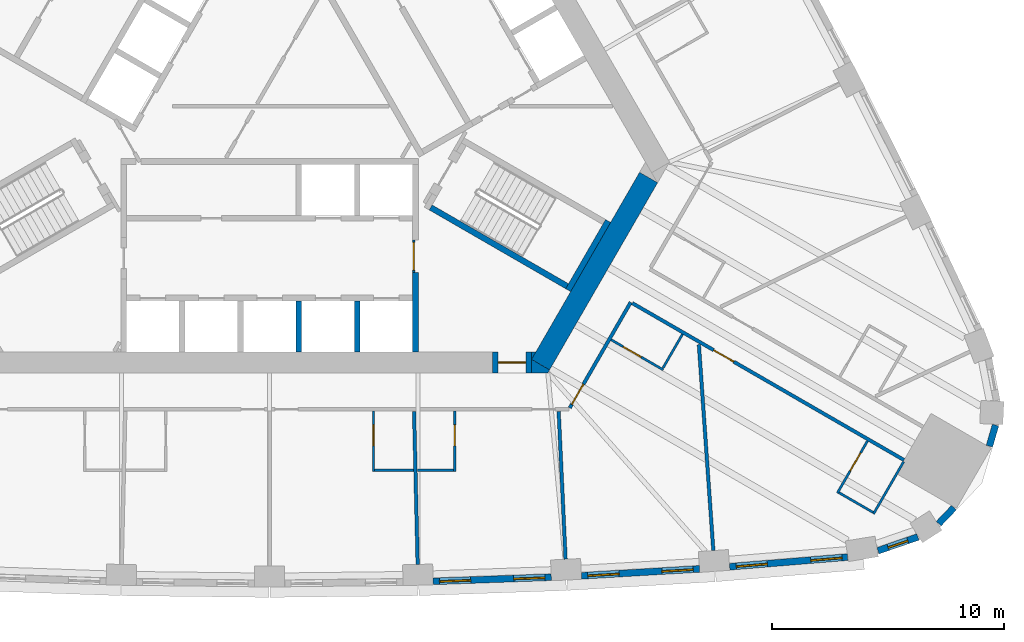
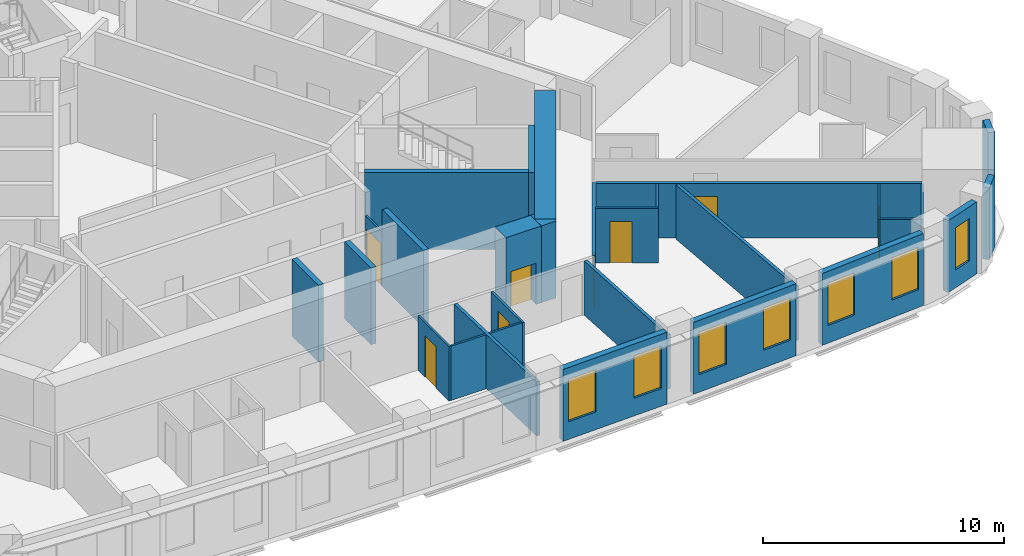
# One storey, part 7 of 13: 30 walls, 8 doors, 7 windows, 15 openings.
"""IFC4 building model written with IfcOpenShell, lengths in metres."""

from ifc_helpers import new_model, si_unit, direction, frame, frame_2d, origin, place, context, subcontext, project, spatial, polyline, rectangle, outline, extrude, material, layer, layer_set, type_object, element, fill, save


model = new_model("IFC4")

# Units and contexts
model_context = context("Model", 3, precision=1e-05, world=origin(), true_north=direction((0.0, 1.0)))
body_context = subcontext(model_context, "Body", "Model", "MODEL_VIEW")
ifc_project = project(units=[si_unit("LENGTHUNIT", "METRE"), si_unit("AREAUNIT", "SQUARE_METRE"), si_unit("VOLUMEUNIT", "CUBIC_METRE"), si_unit("PLANEANGLEUNIT", "RADIAN"), si_unit("MASSUNIT", "GRAM", prefix="KILO")], contexts=[model_context])

# Site, building, storey
site_placement = place(None, origin())
site = spatial("IfcSite", under=ifc_project, at=site_placement, CompositionType="ELEMENT")
building_placement = place(site_placement, origin())
building = spatial("IfcBuilding", under=site, at=building_placement, Name="Mestral Congress Tower", CompositionType="ELEMENT")
storey_placement = place(building_placement, frame((0.0, 0.0, 99.300048828125)))
storey = spatial("IfcBuildingStorey", under=building, at=storey_placement, Name="L23", CompositionType="ELEMENT", Elevation=99.300048828125)

# Wall, opening, door
ifc_material_1 = material(Name="Fire-rated board partition")
ifc_layer_1 = layer(ifc_material_1, 0.090087890625)
ifc_layer_set_1 = layer_set([ifc_layer_1], Name="Fire-rated board partition")
wall_type_1 = type_object("IfcWallType", Name="Core partition 150 door-wall 90", PredefinedType="PARTITIONING", material=ifc_layer_set_1)
wall_1_placement = place(storey_placement, frame((6.219970703125, -7.266357421875, 0.0), z_axis=(0.0, 0.0, 1.0), x_axis=(0.0, -1.0, 0.0)))
wall_1 = element("IfcWall", 1, at=wall_1_placement, inside=storey, type_object=wall_type_1, Name="L23 door wall", PredefinedType="PARTITIONING", context=body_context, shape_type="SweptSolid", body=[
    extrude(rectangle(XDim=1.400146484375, YDim=0.090087890625, at=frame_2d((0.7001953125, 0.0))), origin(), (0.0, 0.0, 1.0), 2.75),
])
opening_1_placement = place(wall_1_placement, frame((0.10009765625, 0.0, 0.0)))
opening_1 = element("IfcOpeningElement", 2, at=opening_1_placement, cuts=wall_1, Name="Opening LB0-WL1", PredefinedType="OPENING", context=body_context, shape_type="SweptSolid", body=[
    extrude(rectangle(XDim=1.199951171875, YDim=2.10009765625, at=frame_2d((0.60009765625, 1.050048828125))), frame((0.0, 0.054931640625, 0.0), z_axis=(0.0, -1.0, 0.0), x_axis=(1.0, 0.0, 0.0)), (0.0, 0.0, 1.0), 0.110107421875),
])
ifc_material_2 = material(Name="Fire-rated steel door set", Category="steel")
door_type_1 = type_object("IfcDoorType", Name="Core door LB 1200x2100", OperationType="SINGLE_SWING_LEFT", PredefinedType="DOOR", material=ifc_material_2)
door_1_placement = place(opening_1_placement, origin())
door_1 = element("IfcDoor", 3, at=door_1_placement, inside=storey, type_object=door_type_1, Name="Door LB0-WL1", OperationType="SINGLE_SWING_LEFT", OverallHeight=2.10009765625, OverallWidth=1.199951171875, PredefinedType="DOOR", context=body_context, shape_type="SweptSolid", body=[
    extrude(rectangle(XDim=1.199951171875, YDim=2.10009765625, at=frame_2d((0.60009765625, 1.050048828125))), frame((0.0, 0.02490234375, 0.0), z_axis=(0.0, -1.0, 0.0), x_axis=(1.0, 0.0, 0.0)), (0.0, 0.0, 1.0), 0.050048828125),
])
fill(opening_1, door_1)

# Walls
ifc_material_3 = material(Name="Concrete C60/75", Category="concrete")
ifc_layer_2 = layer(ifc_material_3, 0.89990234375)
ifc_layer_set_2 = layer_set([ifc_layer_2], Name="Concrete C60/75")
wall_type_2 = type_object("IfcWallType", Name="Core wall RC 900", PredefinedType="SOLIDWALL", material=ifc_layer_set_2)
wall_2_placement = place(storey_placement, frame((11.69482421875, -12.643798828125, 0.0), z_axis=(0.0, 0.0, 1.0), x_axis=(0.500010229568, 0.86601949766, 0.0)))
element("IfcWall", 4, at=wall_2_placement, inside=storey, type_object=wall_type_2, Name="L23 core wall", PredefinedType="SOLIDWALL", context=body_context, shape_type="SweptSolid", body=[
    extrude(rectangle(XDim=9.326416015625, YDim=0.89990234375, at=frame_2d((4.6630859375, 0.0))), origin(), (0.0, 0.0, 1.0), 3.89990234375),
])
placement = place(storey_placement, origin())
element("IfcWall", 5, at=placement, inside=storey, type_object=wall_type_2, Name="L23 core wall", PredefinedType="SOLIDWALL", context=body_context, shape_type="SweptSolid", body=[
    extrude(outline(polyline([(12.0087890625, -13.0), (11.31201171875, -13.0), (11.31201171875, -12.425048828125), (12.08349609375, -12.87060546875), (12.0087890625, -13.0)])), origin(), (0.0, 0.0, 1.0), 3.89990234375),
])
element("IfcWall", 6, at=placement, inside=storey, type_object=wall_type_2, Name="L23 core wall", PredefinedType="SOLIDWALL", context=body_context, shape_type="SweptSolid", body=[
    extrude(outline(polyline([(11.4892578125, -12.10009765625), (11.31201171875, -12.4072265625), (11.31201171875, -12.10009765625), (11.4892578125, -12.10009765625)])), origin(), (0.0, 0.0, 1.0), 3.89990234375),
])

# Wall, opening, door
wall_5_placement = place(storey_placement, frame((11.311767578125, -12.550048828125, 0.0), z_axis=(0.0, 0.0, 1.0), x_axis=(-1.0, 0.0, 0.0)))
wall_5 = element("IfcWall", 7, at=wall_5_placement, inside=storey, type_object=wall_type_2, Name="L23 door wall", PredefinedType="SOLIDWALL", context=body_context, shape_type="SweptSolid", body=[
    extrude(rectangle(XDim=1.699951171875, YDim=0.89990234375, at=frame_2d((0.85009765625, 0.0))), origin(), (0.0, 0.0, 1.0), 3.89990234375),
])
opening_2_placement = place(wall_5_placement, frame((0.25, 0.0, 0.0)))
opening_2 = element("IfcOpeningElement", 8, at=opening_2_placement, cuts=wall_5, Name="Opening XD1", PredefinedType="OPENING", context=body_context, shape_type="SweptSolid", body=[
    extrude(rectangle(XDim=1.199951171875, YDim=2.10009765625, at=frame_2d((0.60009765625, 1.050048828125))), frame((0.0, 0.4599609375, 0.0), z_axis=(0.0, -1.0, 0.0), x_axis=(1.0, 0.0, 0.0)), (0.0, 0.0, 1.0), 0.919921875),
])
door_type_2 = type_object("IfcDoorType", Name="Core door XD 1200x2100", OperationType="SINGLE_SWING_LEFT", PredefinedType="DOOR", material=ifc_material_2)
door_2_placement = place(opening_2_placement, origin())
door_2 = element("IfcDoor", 9, at=door_2_placement, inside=storey, type_object=door_type_2, Name="Door XD1", OperationType="SINGLE_SWING_LEFT", OverallHeight=2.10009765625, OverallWidth=1.199951171875, PredefinedType="DOOR", context=body_context, shape_type="SweptSolid", body=[
    extrude(rectangle(XDim=1.199951171875, YDim=2.10009765625, at=frame_2d((0.60009765625, 1.050048828125))), frame((0.0, 0.02490234375, 0.0), z_axis=(0.0, -1.0, 0.0), x_axis=(1.0, 0.0, 0.0)), (0.0, 0.0, 1.0), 0.050048828125),
])
fill(opening_2, door_2)

# Wall, openings, windows
ifc_material_4 = material(Name="Precast concrete C40/50 with limestone facing", Category="masonry")
ifc_layer_3 = layer(ifc_material_4, 0.2900390625)
ifc_layer_set_3 = layer_set([ifc_layer_3], Name="Precast concrete C40/50 with limestone facing")
wall_type_3 = type_object("IfcWallType", Name="Facade stone wall 290", PredefinedType="SOLIDWALL", material=ifc_layer_set_3)
wall_6_placement = place(storey_placement, frame((7.059326171875, -22.000732421875, 0.0), z_axis=(0.0, 0.0, 1.0), x_axis=(0.999385993957, 0.035037623812, 0.0)))
wall_6 = element("IfcWall", 10, at=wall_6_placement, inside=storey, type_object=wall_type_3, Name="Facade wall F0-05", PredefinedType="SOLIDWALL", context=body_context, shape_type="SweptSolid", body=[
    extrude(rectangle(XDim=5.1005859375, YDim=0.2900390625, at=frame_2d((2.55029296875, 0.0))), origin(), (0.0, 0.0, 1.0), 3.64990234375),
])
opening_3_placement = place(wall_6_placement, frame((0.272705078125, 0.0, 0.89990234375)))
opening_3 = element("IfcOpeningElement", 11, at=opening_3_placement, cuts=wall_6, Name="Opening W2", PredefinedType="OPENING", context=body_context, shape_type="SweptSolid", body=[
    extrude(rectangle(XDim=1.35009765625, YDim=2.14990234375, at=frame_2d((0.675048828125, 1.074951171875))), frame((0.0, 0.155029296875, 0.0), z_axis=(0.0, -1.0, 0.0), x_axis=(1.0, 0.0, 0.0)), (0.0, 0.0, 1.0), 0.31005859375),
])
opening_4_placement = place(wall_6_placement, frame((3.477783203125, 0.0, 0.89990234375)))
opening_4 = element("IfcOpeningElement", 12, at=opening_4_placement, cuts=wall_6, Name="Opening W2", PredefinedType="OPENING", context=body_context, shape_type="SweptSolid", body=[
    extrude(rectangle(XDim=1.35009765625, YDim=2.14990234375, at=frame_2d((0.675048828125, 1.074951171875))), frame((0.0, 0.155029296875, 0.0), z_axis=(0.0, -1.0, 0.0), x_axis=(1.0, 0.0, 0.0)), (0.0, 0.0, 1.0), 0.31005859375),
])
ifc_material_5 = material(Name="Clear low-emissivity double glazing", Category="glass")
window_type_1 = type_object("IfcWindowType", Name="Facade punched window 1350 x 2150 sill 900", PartitioningType="DOUBLE_PANEL_VERTICAL", PredefinedType="WINDOW", material=ifc_material_5)
window_1_placement = place(opening_3_placement, origin())
window_1 = element("IfcWindow", 13, at=window_1_placement, inside=storey, type_object=window_type_1, Name="Window F0-05a", OverallHeight=2.14990234375, OverallWidth=1.35009765625, PartitioningType="DOUBLE_PANEL_VERTICAL", PredefinedType="WINDOW", context=body_context, shape_type="SweptSolid", body=[
    extrude(rectangle(XDim=1.35009765625, YDim=2.14990234375, at=frame_2d((0.675048828125, 1.074951171875))), frame((0.0, 0.01513671875, 0.0), z_axis=(0.0, -1.0, 0.0), x_axis=(1.0, 0.0, 0.0)), (0.0, 0.0, 1.0), 0.06005859375),
])
fill(opening_3, window_1)
window_2_placement = place(opening_4_placement, origin())
window_2 = element("IfcWindow", 14, at=window_2_placement, inside=storey, type_object=window_type_1, Name="Window F0-05b", OverallHeight=2.14990234375, OverallWidth=1.35009765625, PartitioningType="DOUBLE_PANEL_VERTICAL", PredefinedType="WINDOW", context=body_context, shape_type="SweptSolid", body=[
    extrude(rectangle(XDim=1.35009765625, YDim=2.14990234375, at=frame_2d((0.675048828125, 1.074951171875))), frame((0.0, 0.01513671875, 0.0), z_axis=(0.0, -1.0, 0.0), x_axis=(1.0, 0.0, 0.0)), (0.0, 0.0, 1.0), 0.06005859375),
])
fill(opening_4, window_2)

wall_7_placement = place(storey_placement, frame((13.4619140625, -21.760986328125, 0.0), z_axis=(0.0, 0.0, 1.0), x_axis=(0.998290511436, 0.058447025388, 0.0)))
wall_7 = element("IfcWall", 15, at=wall_7_placement, inside=storey, type_object=wall_type_3, Name="Facade wall F0-06", PredefinedType="SOLIDWALL", context=body_context, shape_type="SweptSolid", body=[
    extrude(rectangle(XDim=5.100341796875, YDim=0.2900390625, at=frame_2d((2.55029296875, 0.0))), origin(), (0.0, 0.0, 1.0), 3.64990234375),
])
opening_5_placement = place(wall_7_placement, frame((0.2724609375, 0.0, 0.89990234375)))
opening_5 = element("IfcOpeningElement", 16, at=opening_5_placement, cuts=wall_7, Name="Opening W2", PredefinedType="OPENING", context=body_context, shape_type="SweptSolid", body=[
    extrude(rectangle(XDim=1.35009765625, YDim=2.14990234375, at=frame_2d((0.675048828125, 1.074951171875))), frame((0.0, 0.155029296875, 0.0), z_axis=(0.0, -1.0, 0.0), x_axis=(1.0, 0.0, 0.0)), (0.0, 0.0, 1.0), 0.31005859375),
])
opening_6_placement = place(wall_7_placement, frame((3.477783203125, 0.0, 0.89990234375)))
opening_6 = element("IfcOpeningElement", 17, at=opening_6_placement, cuts=wall_7, Name="Opening W2", PredefinedType="OPENING", context=body_context, shape_type="SweptSolid", body=[
    extrude(rectangle(XDim=1.35009765625, YDim=2.14990234375, at=frame_2d((0.675048828125, 1.074951171875))), frame((0.0, 0.155029296875, 0.0), z_axis=(0.0, -1.0, 0.0), x_axis=(1.0, 0.0, 0.0)), (0.0, 0.0, 1.0), 0.31005859375),
])
window_3_placement = place(opening_5_placement, origin())
window_3 = element("IfcWindow", 18, at=window_3_placement, inside=storey, type_object=window_type_1, Name="Window F0-06a", OverallHeight=2.14990234375, OverallWidth=1.35009765625, PartitioningType="DOUBLE_PANEL_VERTICAL", PredefinedType="WINDOW", context=body_context, shape_type="SweptSolid", body=[
    extrude(rectangle(XDim=1.35009765625, YDim=2.14990234375, at=frame_2d((0.675048828125, 1.074951171875))), frame((0.0, 0.01513671875, 0.0), z_axis=(0.0, -1.0, 0.0), x_axis=(1.0, 0.0, 0.0)), (0.0, 0.0, 1.0), 0.06005859375),
])
fill(opening_5, window_3)
window_4_placement = place(opening_6_placement, origin())
window_4 = element("IfcWindow", 19, at=window_4_placement, inside=storey, type_object=window_type_1, Name="Window F0-06b", OverallHeight=2.14990234375, OverallWidth=1.35009765625, PartitioningType="DOUBLE_PANEL_VERTICAL", PredefinedType="WINDOW", context=body_context, shape_type="SweptSolid", body=[
    extrude(rectangle(XDim=1.35009765625, YDim=2.14990234375, at=frame_2d((0.675048828125, 1.074951171875))), frame((0.0, 0.01513671875, 0.0), z_axis=(0.0, -1.0, 0.0), x_axis=(1.0, 0.0, 0.0)), (0.0, 0.0, 1.0), 0.06005859375),
])
fill(opening_6, window_4)

wall_8_placement = place(storey_placement, frame((19.856689453125, -21.37109375, 0.0), z_axis=(0.0, 0.0, 1.0), x_axis=(0.99665273362, 0.081751627308, 0.0)))
wall_8 = element("IfcWall", 20, at=wall_8_placement, inside=storey, type_object=wall_type_3, Name="Facade wall F0-07", PredefinedType="SOLIDWALL", context=body_context, shape_type="SweptSolid", body=[
    extrude(rectangle(XDim=5.106689453125, YDim=0.2900390625, at=frame_2d((2.55322265625, 0.0))), origin(), (0.0, 0.0, 1.0), 3.64990234375),
])
opening_7_placement = place(wall_8_placement, frame((0.285400390625, 0.0, 0.89990234375)))
opening_7 = element("IfcOpeningElement", 21, at=opening_7_placement, cuts=wall_8, Name="Opening W2", PredefinedType="OPENING", context=body_context, shape_type="SweptSolid", body=[
    extrude(rectangle(XDim=1.35009765625, YDim=2.14990234375, at=frame_2d((0.675048828125, 1.074951171875))), frame((0.0, 0.155029296875, 0.0), z_axis=(0.0, -1.0, 0.0), x_axis=(1.0, 0.0, 0.0)), (0.0, 0.0, 1.0), 0.31005859375),
])
opening_8_placement = place(wall_8_placement, frame((3.51611328125, 0.0, 0.89990234375)))
opening_8 = element("IfcOpeningElement", 22, at=opening_8_placement, cuts=wall_8, Name="Opening W2", PredefinedType="OPENING", context=body_context, shape_type="SweptSolid", body=[
    extrude(rectangle(XDim=1.35009765625, YDim=2.14990234375, at=frame_2d((0.675048828125, 1.074951171875))), frame((0.0, 0.155029296875, 0.0), z_axis=(0.0, -1.0, 0.0), x_axis=(1.0, 0.0, 0.0)), (0.0, 0.0, 1.0), 0.31005859375),
])
window_5_placement = place(opening_7_placement, origin())
window_5 = element("IfcWindow", 23, at=window_5_placement, inside=storey, type_object=window_type_1, Name="Window F0-07a", OverallHeight=2.14990234375, OverallWidth=1.35009765625, PartitioningType="DOUBLE_PANEL_VERTICAL", PredefinedType="WINDOW", context=body_context, shape_type="SweptSolid", body=[
    extrude(rectangle(XDim=1.35009765625, YDim=2.14990234375, at=frame_2d((0.675048828125, 1.074951171875))), frame((0.0, 0.01513671875, 0.0), z_axis=(0.0, -1.0, 0.0), x_axis=(1.0, 0.0, 0.0)), (0.0, 0.0, 1.0), 0.06005859375),
])
fill(opening_7, window_5)
window_6_placement = place(opening_8_placement, origin())
window_6 = element("IfcWindow", 24, at=window_6_placement, inside=storey, type_object=window_type_1, Name="Window F0-07b", OverallHeight=2.14990234375, OverallWidth=1.35009765625, PartitioningType="DOUBLE_PANEL_VERTICAL", PredefinedType="WINDOW", context=body_context, shape_type="SweptSolid", body=[
    extrude(rectangle(XDim=1.35009765625, YDim=2.14990234375, at=frame_2d((0.675048828125, 1.074951171875))), frame((0.0, 0.01513671875, 0.0), z_axis=(0.0, -1.0, 0.0), x_axis=(1.0, 0.0, 0.0)), (0.0, 0.0, 1.0), 0.06005859375),
])
fill(opening_8, window_6)

# Wall, opening, window
wall_9_placement = place(storey_placement, frame((26.260986328125, -20.67919921875, 0.0), z_axis=(0.0, 0.0, 1.0), x_axis=(0.945385815453, 0.325953462844, 0.0)))
wall_9 = element("IfcWall", 25, at=wall_9_placement, inside=storey, type_object=wall_type_3, Name="Facade wall K0-0", PredefinedType="SOLIDWALL", context=body_context, shape_type="SweptSolid", body=[
    extrude(rectangle(XDim=1.8193359375, YDim=0.2900390625, at=frame_2d((0.90966796875, 0.0))), origin(), (0.0, 0.0, 1.0), 3.64990234375),
])
opening_9_placement = place(wall_9_placement, frame((0.459716796875, 0.0, 0.89990234375)))
opening_9 = element("IfcOpeningElement", 26, at=opening_9_placement, cuts=wall_9, Name="Opening W3", PredefinedType="OPENING", context=body_context, shape_type="SweptSolid", body=[
    extrude(rectangle(XDim=0.89990234375, YDim=2.14990234375, at=frame_2d((0.449951171875, 1.074951171875))), frame((0.0, 0.155029296875, 0.0), z_axis=(0.0, -1.0, 0.0), x_axis=(1.0, 0.0, 0.0)), (0.0, 0.0, 1.0), 0.31005859375),
])
window_type_2 = type_object("IfcWindowType", Name="Facade punched window 900 x 2150 sill 900", PartitioningType="SINGLE_PANEL", PredefinedType="WINDOW", material=ifc_material_5)
window_7_placement = place(opening_9_placement, origin())
window_7 = element("IfcWindow", 27, at=window_7_placement, inside=storey, type_object=window_type_2, Name="Window K0-0", OverallHeight=2.14990234375, OverallWidth=0.89990234375, PartitioningType="SINGLE_PANEL", PredefinedType="WINDOW", context=body_context, shape_type="SweptSolid", body=[
    extrude(rectangle(XDim=0.89990234375, YDim=2.14990234375, at=frame_2d((0.449951171875, 1.074951171875))), frame((0.0, 0.01513671875, 0.0), z_axis=(0.0, -1.0, 0.0), x_axis=(1.0, 0.0, 0.0)), (0.0, 0.0, 1.0), 0.06005859375),
])
fill(opening_9, window_7)

# Walls
wall_10_placement = place(storey_placement, frame((28.88037109375, -19.50927734375, 0.0), z_axis=(0.0, 0.0, 1.0), x_axis=(0.690414427296, 0.723414071319, 0.0)))
element("IfcWall", 28, at=wall_10_placement, inside=storey, type_object=wall_type_3, Name="Facade wall K0-1", PredefinedType="SOLIDWALL", context=body_context, shape_type="SweptSolid", body=[
    extrude(rectangle(XDim=0.947021484375, YDim=0.2900390625, at=frame_2d((0.4736328125, 0.0))), origin(), (0.0, 0.0, 1.0), 3.64990234375),
])
wall_11_placement = place(storey_placement, frame((31.069091796875, -16.165283203125, 0.0), z_axis=(0.0, 0.0, 1.0), x_axis=(0.281454582132, 0.95957455062, 0.0)))
element("IfcWall", 29, at=wall_11_placement, inside=storey, type_object=wall_type_3, Name="Facade wall K0-2", PredefinedType="SOLIDWALL", context=body_context, shape_type="SweptSolid", body=[
    extrude(rectangle(XDim=0.947265625, YDim=0.2900390625, at=frame_2d((0.4736328125, 0.0))), origin(), (0.0, 0.0, 1.0), 3.64990234375),
])

# Wall, opening, door
ifc_material_6 = material(Name="Gypsum board partition on metal studs with mineral wool", Category="composite")
ifc_layer_4 = layer(ifc_material_6, 0.10009765625)
ifc_layer_set_4 = layer_set([ifc_layer_4], Name="Gypsum board partition on metal studs with mineral wool")
wall_type_4 = type_object("IfcWallType", Name="Hotel partition wall 100", PredefinedType="PARTITIONING", material=ifc_layer_set_4)
wall_12_placement = place(storey_placement, frame((4.480224609375, -14.64990234375, 0.0), z_axis=(0.0, 0.0, 1.0), x_axis=(0.0, -1.0, 0.0)))
wall_12 = element("IfcWall", 30, at=wall_12_placement, inside=storey, type_object=wall_type_4, Name="L23-h-pod05a", PredefinedType="PARTITIONING", context=body_context, shape_type="SweptSolid", body=[
    extrude(rectangle(XDim=2.60009765625, YDim=0.10009765625, at=frame_2d((1.300048828125, 0.0))), origin(), (0.0, 0.0, 1.0), 2.75),
])
opening_10_placement = place(wall_12_placement, frame((0.60009765625, 0.0, 0.0)))
opening_10 = element("IfcOpeningElement", 31, at=opening_10_placement, cuts=wall_12, Name="Opening H07-010", PredefinedType="OPENING", context=body_context, shape_type="SweptSolid", body=[
    extrude(rectangle(XDim=0.89990234375, YDim=2.10009765625, at=frame_2d((0.449951171875, 1.050048828125))), frame((0.0, 0.06005859375, 0.0), z_axis=(0.0, -1.0, 0.0), x_axis=(1.0, 0.0, 0.0)), (0.0, 0.0, 1.0), 0.1201171875),
])
ifc_material_7 = material(Name="Timber veneer door leaf in timber frame", Category="wood")
door_type_3 = type_object("IfcDoorType", Name="Bathroom door 900", OperationType="SINGLE_SWING_LEFT", PredefinedType="DOOR", material=ifc_material_7)
door_3_placement = place(opening_10_placement, origin())
door_3 = element("IfcDoor", 32, at=door_3_placement, inside=storey, type_object=door_type_3, Name="L23-h-d010", OperationType="SINGLE_SWING_LEFT", OverallHeight=2.10009765625, OverallWidth=0.89990234375, PredefinedType="DOOR", context=body_context, shape_type="SweptSolid", body=[
    extrude(rectangle(XDim=0.89990234375, YDim=2.10009765625, at=frame_2d((0.449951171875, 1.050048828125))), frame((0.0, 0.02490234375, 0.0), z_axis=(0.0, -1.0, 0.0), x_axis=(1.0, 0.0, 0.0)), (0.0, 0.0, 1.0), 0.050048828125),
])
fill(opening_10, door_3)

# Wall
wall_13_placement = place(storey_placement, frame((4.5302734375, -17.199951171875, 0.0), z_axis=(0.0, 0.0, 1.0), x_axis=(1.0, 0.0, 0.0)))
element("IfcWall", 33, at=wall_13_placement, inside=storey, type_object=wall_type_4, Name="L23-h-pod05b", PredefinedType="PARTITIONING", context=body_context, shape_type="SweptSolid", body=[
    extrude(rectangle(XDim=1.679931640625, YDim=0.10009765625, at=frame_2d((0.83984375, 0.0))), origin(), (0.0, 0.0, 1.0), 2.75),
])

# Wall, opening, door
wall_14_placement = place(storey_placement, frame((7.98779296875, -17.25, 0.0), z_axis=(0.0, 0.0, 1.0), x_axis=(0.0, 1.0, 0.0)))
wall_14 = element("IfcWall", 34, at=wall_14_placement, inside=storey, type_object=wall_type_4, Name="L23-h-pod06a", PredefinedType="PARTITIONING", context=body_context, shape_type="SweptSolid", body=[
    extrude(rectangle(XDim=2.60009765625, YDim=0.10009765625, at=frame_2d((1.300048828125, 0.0))), origin(), (0.0, 0.0, 1.0), 2.75),
])
opening_11_placement = place(wall_14_placement, frame((1.10009765625, 0.0, 0.0)))
opening_11 = element("IfcOpeningElement", 35, at=opening_11_placement, cuts=wall_14, Name="Opening H07-012", PredefinedType="OPENING", context=body_context, shape_type="SweptSolid", body=[
    extrude(rectangle(XDim=0.89990234375, YDim=2.10009765625, at=frame_2d((0.449951171875, 1.050048828125))), frame((0.0, 0.06005859375, 0.0), z_axis=(0.0, -1.0, 0.0), x_axis=(1.0, 0.0, 0.0)), (0.0, 0.0, 1.0), 0.1201171875),
])
door_4_placement = place(opening_11_placement, origin())
door_4 = element("IfcDoor", 36, at=door_4_placement, inside=storey, type_object=door_type_3, Name="L23-h-d012", OperationType="SINGLE_SWING_RIGHT", OverallHeight=2.10009765625, OverallWidth=0.89990234375, PredefinedType="DOOR", context=body_context, shape_type="SweptSolid", body=[
    extrude(rectangle(XDim=0.89990234375, YDim=2.10009765625, at=frame_2d((0.449951171875, 1.050048828125))), frame((0.0, 0.02490234375, 0.0), z_axis=(0.0, -1.0, 0.0), x_axis=(1.0, 0.0, 0.0)), (0.0, 0.0, 1.0), 0.050048828125),
])
fill(opening_11, door_4)

# Wall
wall_15_placement = place(storey_placement, frame((7.937744140625, -17.199951171875, 0.0), z_axis=(0.0, 0.0, 1.0), x_axis=(-1.0, 0.0, 0.0)))
element("IfcWall", 37, at=wall_15_placement, inside=storey, type_object=wall_type_4, Name="L23-h-pod06b", PredefinedType="PARTITIONING", context=body_context, shape_type="SweptSolid", body=[
    extrude(rectangle(XDim=1.56005859375, YDim=0.10009765625, at=frame_2d((0.780029296875, 0.0))), origin(), (0.0, 0.0, 1.0), 2.75),
])

# Wall, opening, door
wall_16_placement = place(storey_placement, frame((14.739501953125, -11.5703125, 0.0), z_axis=(0.0, 0.0, 1.0), x_axis=(0.866021400173, -0.500006934395, 0.0)))
wall_16 = element("IfcWall", 38, at=wall_16_placement, inside=storey, type_object=wall_type_4, Name="L23-h-pod07a", PredefinedType="PARTITIONING", context=body_context, shape_type="SweptSolid", body=[
    extrude(rectangle(XDim=2.60009765625, YDim=0.10009765625, at=frame_2d((1.300048828125, 0.0))), origin(), (0.0, 0.0, 1.0), 2.75),
])
opening_12_placement = place(wall_16_placement, frame((0.60009765625, 0.0, 0.0)))
opening_12 = element("IfcOpeningElement", 39, at=opening_12_placement, cuts=wall_16, Name="Opening H07-014", PredefinedType="OPENING", context=body_context, shape_type="SweptSolid", body=[
    extrude(rectangle(XDim=0.89990234375, YDim=2.10009765625, at=frame_2d((0.449951171875, 1.050048828125))), frame((0.0, 0.06005859375, 0.0), z_axis=(0.0, -1.0, 0.0), x_axis=(1.0, 0.0, 0.0)), (0.0, 0.0, 1.0), 0.1201171875),
])
door_5_placement = place(opening_12_placement, origin())
door_5 = element("IfcDoor", 40, at=door_5_placement, inside=storey, type_object=door_type_3, Name="L23-h-d014", OperationType="SINGLE_SWING_LEFT", OverallHeight=2.10009765625, OverallWidth=0.89990234375, PredefinedType="DOOR", context=body_context, shape_type="SweptSolid", body=[
    extrude(rectangle(XDim=0.89990234375, YDim=2.10009765625, at=frame_2d((0.449951171875, 1.050048828125))), frame((0.0, 0.02490234375, 0.0), z_axis=(0.0, -1.0, 0.0), x_axis=(1.0, 0.0, 0.0)), (0.0, 0.0, 1.0), 0.050048828125),
])
fill(opening_12, door_5)

# Wall
wall_17_placement = place(storey_placement, frame((16.977783203125, -12.793212890625, 0.0), z_axis=(0.0, 0.0, 1.0), x_axis=(0.500147619332, 0.865940158947, 0.0)))
element("IfcWall", 41, at=wall_17_placement, inside=storey, type_object=wall_type_4, Name="L23-h-pod07b", PredefinedType="PARTITIONING", context=body_context, shape_type="SweptSolid", body=[
    extrude(rectangle(XDim=1.68994140625, YDim=0.10009765625, at=frame_2d((0.844970703125, 0.0))), origin(), (0.0, 0.0, 1.0), 2.75),
])

# Wall, opening, door
wall_18_placement = place(storey_placement, frame((25.806640625, -15.938720703125, 0.0), z_axis=(0.0, 0.0, 1.0), x_axis=(-0.500006934395, -0.866021400173, 0.0)))
wall_18 = element("IfcWall", 42, at=wall_18_placement, inside=storey, type_object=wall_type_4, Name="L23-h-pod08a", PredefinedType="PARTITIONING", context=body_context, shape_type="SweptSolid", body=[
    extrude(rectangle(XDim=2.60009765625, YDim=0.10009765625, at=frame_2d((1.300048828125, 0.0))), origin(), (0.0, 0.0, 1.0), 2.75),
])
opening_13_placement = place(wall_18_placement, frame((0.60009765625, 0.0, 0.0)))
opening_13 = element("IfcOpeningElement", 43, at=opening_13_placement, cuts=wall_18, Name="Opening H07-016", PredefinedType="OPENING", context=body_context, shape_type="SweptSolid", body=[
    extrude(rectangle(XDim=0.89990234375, YDim=2.10009765625, at=frame_2d((0.449951171875, 1.050048828125))), frame((0.0, 0.06005859375, 0.0), z_axis=(0.0, -1.0, 0.0), x_axis=(1.0, 0.0, 0.0)), (0.0, 0.0, 1.0), 0.1201171875),
])
door_6_placement = place(opening_13_placement, origin())
door_6 = element("IfcDoor", 44, at=door_6_placement, inside=storey, type_object=door_type_3, Name="L23-h-d016", OperationType="SINGLE_SWING_LEFT", OverallHeight=2.10009765625, OverallWidth=0.89990234375, PredefinedType="DOOR", context=body_context, shape_type="SweptSolid", body=[
    extrude(rectangle(XDim=0.89990234375, YDim=2.10009765625, at=frame_2d((0.449951171875, 1.050048828125))), frame((0.0, 0.02490234375, 0.0), z_axis=(0.0, -1.0, 0.0), x_axis=(1.0, 0.0, 0.0)), (0.0, 0.0, 1.0), 0.050048828125),
])
fill(opening_13, door_6)

# Walls
wall_19_placement = place(storey_placement, frame((24.574951171875, -18.172119140625, 0.0), z_axis=(0.0, 0.0, 1.0), x_axis=(0.865989465428, -0.500062241894, 0.0)))
element("IfcWall", 45, at=wall_19_placement, inside=storey, type_object=wall_type_4, Name="L23-h-pod08b", PredefinedType="PARTITIONING", context=body_context, shape_type="SweptSolid", body=[
    extrude(rectangle(XDim=1.699951171875, YDim=0.10009765625, at=frame_2d((0.85009765625, 0.0))), origin(), (0.0, 0.0, 1.0), 2.75),
])
wall_20_placement = place(storey_placement, frame((27.365478515625, -16.838623046875, 0.0), z_axis=(0.0, 0.0, 1.0), x_axis=(-0.500006934395, -0.866021400173, 0.0)))
element("IfcWall", 46, at=wall_20_placement, inside=storey, type_object=wall_type_4, Name="L23-h-pod08c", PredefinedType="PARTITIONING", context=body_context, shape_type="SweptSolid", body=[
    extrude(rectangle(XDim=2.60009765625, YDim=0.10009765625, at=frame_2d((1.300048828125, 0.0))), origin(), (0.0, 0.0, 1.0), 2.75),
])

# Wall, opening, door
ifc_layer_5 = layer(ifc_material_6, 0.14990234375)
ifc_layer_set_5 = layer_set([ifc_layer_5], Name="Gypsum board partition on metal studs with mineral wool")
wall_type_5 = type_object("IfcWallType", Name="Hotel partition wall 150", PredefinedType="PARTITIONING", material=ifc_layer_set_5)
wall_21_placement = place(storey_placement, frame((15.58740234375, -9.951904296875, 0.0), z_axis=(0.0, 0.0, 1.0), x_axis=(-0.500016618951, -0.866015808616, 0.0)))
wall_21 = element("IfcWall", 47, at=wall_21_placement, inside=storey, type_object=wall_type_5, Name="L23-h-cw14", PredefinedType="PARTITIONING", context=body_context, shape_type="SweptSolid", body=[
    extrude(rectangle(XDim=5.268310546875, YDim=0.14990234375, at=frame_2d((2.63427734375, 0.0))), origin(), (0.0, 0.0, 1.0), 2.75),
])
opening_14_placement = place(wall_21_placement, frame((4.088134765625, 0.0, 0.0)))
opening_14 = element("IfcOpeningElement", 48, at=opening_14_placement, cuts=wall_21, Name="Opening H07-013", PredefinedType="OPENING", context=body_context, shape_type="SweptSolid", body=[
    extrude(rectangle(XDim=1.0, YDim=2.10009765625, at=frame_2d((0.5, 1.050048828125))), frame((0.0, 0.0849609375, 0.0), z_axis=(0.0, -1.0, 0.0), x_axis=(1.0, 0.0, 0.0)), (0.0, 0.0, 1.0), 0.169921875),
])
ifc_material_8 = material(Name="Timber veneer door leaf in metal frame", Category="wood")
door_type_4 = type_object("IfcDoorType", Name="Guest room entrance door 1000", OperationType="SINGLE_SWING_LEFT", PredefinedType="DOOR", material=ifc_material_8)
door_7_placement = place(opening_14_placement, origin())
door_7 = element("IfcDoor", 49, at=door_7_placement, inside=storey, type_object=door_type_4, Name="L23-h-d013", OperationType="SINGLE_SWING_RIGHT", OverallHeight=2.10009765625, OverallWidth=1.0, PredefinedType="DOOR", context=body_context, shape_type="SweptSolid", body=[
    extrude(rectangle(XDim=1.0, YDim=2.10009765625, at=frame_2d((0.5, 1.050048828125))), frame((0.0, 0.02490234375, 0.0), z_axis=(0.0, -1.0, 0.0), x_axis=(1.0, 0.0, 0.0)), (0.0, 0.0, 1.0), 0.050048828125),
])
fill(opening_14, door_7)

wall_22_placement = place(storey_placement, frame((27.3857421875, -16.763916015625, 0.0), z_axis=(0.0, 0.0, 1.0), x_axis=(-0.866022585856, 0.500004880763, 0.0)))
wall_22 = element("IfcWall", 50, at=wall_22_placement, inside=storey, type_object=wall_type_5, Name="L23-h-cw15", PredefinedType="PARTITIONING", context=body_context, shape_type="SweptSolid", body=[
    extrude(rectangle(XDim=13.543701171875, YDim=0.14990234375, at=frame_2d((6.77197265625, 0.0))), origin(), (0.0, 0.0, 1.0), 2.75),
])
opening_15_placement = place(wall_22_placement, frame((8.490966796875, 0.0, 0.0)))
opening_15 = element("IfcOpeningElement", 51, at=opening_15_placement, cuts=wall_22, Name="Opening H07-015", PredefinedType="OPENING", context=body_context, shape_type="SweptSolid", body=[
    extrude(rectangle(XDim=1.0, YDim=2.10009765625, at=frame_2d((0.5, 1.050048828125))), frame((0.0, 0.0849609375, 0.0), z_axis=(0.0, -1.0, 0.0), x_axis=(1.0, 0.0, 0.0)), (0.0, 0.0, 1.0), 0.169921875),
])
door_8_placement = place(opening_15_placement, origin())
door_8 = element("IfcDoor", 52, at=door_8_placement, inside=storey, type_object=door_type_4, Name="L23-h-d015", OperationType="SINGLE_SWING_RIGHT", OverallHeight=2.10009765625, OverallWidth=1.0, PredefinedType="DOOR", context=body_context, shape_type="SweptSolid", body=[
    extrude(rectangle(XDim=1.0, YDim=2.10009765625, at=frame_2d((0.5, 1.050048828125))), frame((0.0, 0.02490234375, 0.0), z_axis=(0.0, -1.0, 0.0), x_axis=(1.0, 0.0, 0.0)), (0.0, 0.0, 1.0), 0.050048828125),
])
fill(opening_15, door_8)

# Walls
wall_23_placement = place(storey_placement, frame((6.388916015625, -21.268798828125, 0.0), z_axis=(0.0, 0.0, 1.0), x_axis=(-0.023377429176, 0.999726710559, 0.0)))
element("IfcWall", 53, at=wall_23_placement, inside=storey, type_object=wall_type_5, Name="L23-h-pw19", PredefinedType="PARTITIONING", context=body_context, shape_type="SweptSolid", body=[
    extrude(rectangle(XDim=6.610595703125, YDim=0.14990234375, at=frame_2d((3.30517578125, 0.0))), origin(), (0.0, 0.0, 1.0), 2.75),
])
wall_24_placement = place(storey_placement, frame((12.7744140625, -21.044921875, 0.0), z_axis=(0.0, 0.0, 1.0), x_axis=(-0.046750341626, 0.998906605023, 0.0)))
element("IfcWall", 54, at=wall_24_placement, inside=storey, type_object=wall_type_5, Name="L23-h-pw22", PredefinedType="PARTITIONING", context=body_context, shape_type="SweptSolid", body=[
    extrude(rectangle(XDim=6.39208984375, YDim=0.14990234375, at=frame_2d((3.196044921875, 0.0))), origin(), (0.0, 0.0, 1.0), 2.75),
])
wall_25_placement = place(storey_placement, frame((19.152587890625, -20.67138671875, 0.0), z_axis=(0.0, 0.0, 1.0), x_axis=(-0.070070736723, 0.997542025107, 0.0)))
element("IfcWall", 55, at=wall_25_placement, inside=storey, type_object=wall_type_5, Name="L23-h-pw25", PredefinedType="PARTITIONING", context=body_context, shape_type="SweptSolid", body=[
    extrude(rectangle(XDim=8.9091796875, YDim=0.14990234375, at=frame_2d((4.45458984375, 0.0))), origin(), (0.0, 0.0, 1.0), 2.75),
])
ifc_layer_6 = layer(ifc_material_3, 0.25)
ifc_layer_set_6 = layer_set([ifc_layer_6], Name="Concrete C60/75")
wall_type_6 = type_object("IfcWallType", Name="Shaft wall RC 250", PredefinedType="SOLIDWALL", material=ifc_layer_set_6)
wall_26_placement = place(storey_placement, frame((6.300048828125, -8.669921875, 0.0), z_axis=(0.0, 0.0, 1.0), x_axis=(0.0, -1.0, 0.0)))
element("IfcWall", 56, at=wall_26_placement, inside=storey, type_object=wall_type_6, Name="L23 core wall", PredefinedType="SOLIDWALL", context=body_context, shape_type="SweptSolid", body=[
    extrude(rectangle(XDim=3.43017578125, YDim=0.25, at=frame_2d((1.715087890625, 0.0))), origin(), (0.0, 0.0, 1.0), 3.89990234375),
])
for number, where, z_axis, x_axis, name in (
    (57, (3.780029296875, -12.10009765625, 0.0), (0.0, 0.0, 1.0), (0.0, 1.0, 0.0), "L23 core wall"),
    (58, (1.260009765625, -12.10009765625, 0.0), (0.0, 0.0, 1.0), (0.0, 1.0, 0.0), "L23 core wall"),
):
    element("IfcWall", number, at=place(storey_placement, frame(where, z_axis=z_axis, x_axis=x_axis)), inside=storey, type_object=wall_type_6, Name=name, PredefinedType="SOLIDWALL", context=body_context, shape_type="SweptSolid", body=[
        extrude(rectangle(XDim=2.199951171875, YDim=0.25, at=frame_2d((1.10009765625, 0.0))), origin(), (0.0, 0.0, 1.0), 3.89990234375),
    ])
ifc_layer_7 = layer(ifc_material_3, 0.25)
ifc_layer_set_7 = layer_set([ifc_layer_7], Name="Concrete C60/75")
wall_type_7 = type_object("IfcWallType", Name="Stair wall RC 250", PredefinedType="SOLIDWALL", material=ifc_layer_set_7)
wall_27_placement = place(storey_placement, frame((12.885498046875, -9.431396484375, 0.0), z_axis=(0.0, 0.0, 1.0), x_axis=(0.500020560727, 0.866013532718, 0.0)))
element("IfcWall", 59, at=wall_27_placement, inside=storey, type_object=wall_type_7, Name="L23 core wall", PredefinedType="SOLIDWALL", context=body_context, shape_type="SweptSolid", body=[
    extrude(rectangle(XDim=3.449951171875, YDim=0.25, at=frame_2d((1.72509765625, 0.0))), origin(), (0.0, 0.0, 1.0), 3.89990234375),
])
wall_28_placement = place(storey_placement, frame((12.83984375, -9.2607421875, 0.0), z_axis=(0.0, 0.0, 1.0), x_axis=(-0.866013990052, 0.500019768644, 0.0)))
element("IfcWall", 60, at=wall_28_placement, inside=storey, type_object=wall_type_7, Name="L23 core wall", PredefinedType="SOLIDWALL", context=body_context, shape_type="SweptSolid", body=[
    extrude(rectangle(XDim=6.800048828125, YDim=0.25, at=frame_2d((3.39990234375, 0.0))), origin(), (0.0, 0.0, 1.0), 3.89990234375),
])

save(model, "model.ifc")
